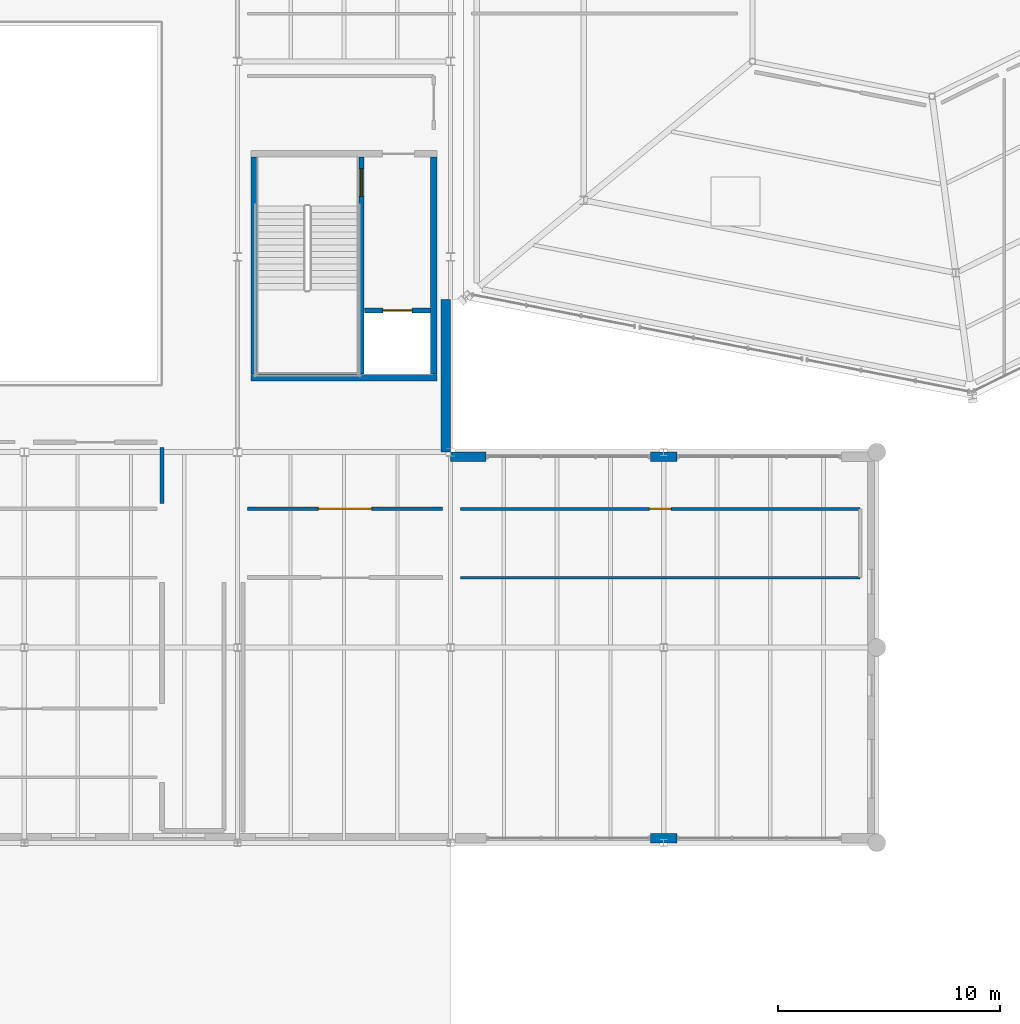
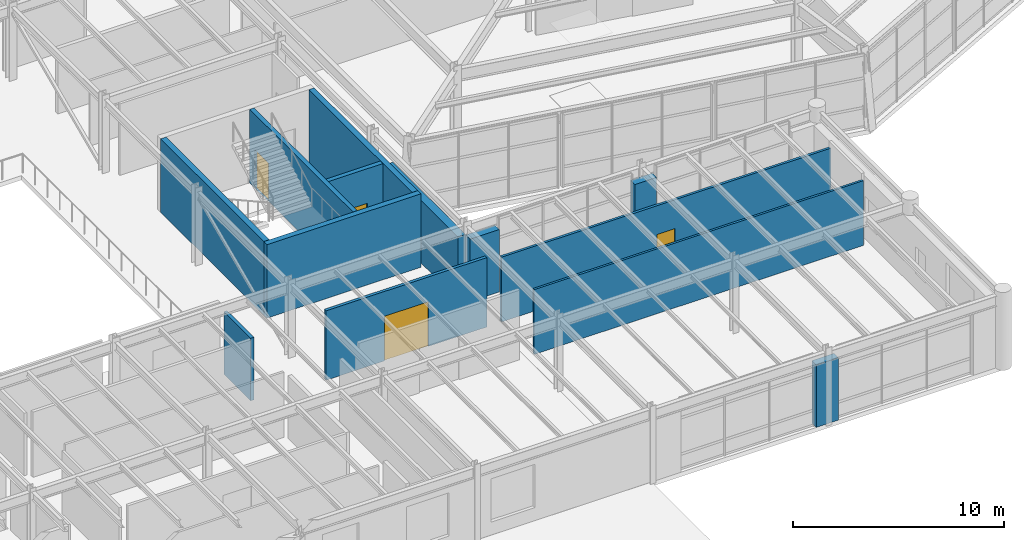
# One storey, part 71 of 88: 13 walls, 4 doors, 4 openings.
"""IFC4 building model written with IfcOpenShell, lengths in metres."""

from ifc_helpers import new_model, si_unit, direction, frame, frame_2d, origin, place, context, subcontext, project, spatial, rectangle, extrude, material, layer, layer_set, type_object, element, fill, save


model = new_model("IFC4")

# Units and contexts
model_context = context("Model", 3, precision=1e-05, world=origin(), true_north=direction((0.0, 1.0)))
body_context = subcontext(model_context, "Body", "Model", "MODEL_VIEW")
ifc_project = project(units=[si_unit("LENGTHUNIT", "METRE"), si_unit("AREAUNIT", "SQUARE_METRE"), si_unit("VOLUMEUNIT", "CUBIC_METRE"), si_unit("PLANEANGLEUNIT", "RADIAN"), si_unit("MASSUNIT", "GRAM", prefix="KILO")], contexts=[model_context])

# Site, building, storey
site_placement = place(None, origin())
site = spatial("IfcSite", under=ifc_project, at=site_placement, CompositionType="ELEMENT")
building_placement = place(site_placement, origin())
building = spatial("IfcBuilding", under=site, at=building_placement, Name="Sarnbrook Museum", CompositionType="ELEMENT")
storey_placement = place(building_placement, frame((0.0, 0.0, 10.10009765625)))
storey = spatial("IfcBuildingStorey", under=building, at=storey_placement, Name="L02", CompositionType="ELEMENT", Elevation=10.10009765625)

# Walls
ifc_material_1 = material(Name="Concrete N50 (AS 3600, f'c = 50 MPa)", Category="concrete")
ifc_layer_1 = layer(ifc_material_1, 0.300048828125)
ifc_layer_set_1 = layer_set([ifc_layer_1], Name="Concrete N50 (AS 3600, f'c = 50 MPa)")
wall_type_1 = type_object("IfcWallType", Name="CoreWall_CWRC", PredefinedType="SHEAR", material=ifc_layer_set_1)
wall_1_placement = place(storey_placement, frame((110.199951171875, 60.14990234375, 0.0), z_axis=(0.0, 0.0, 1.0), x_axis=(1.0, 0.0, 0.0)))
element("IfcWall", 1, at=wall_1_placement, inside=storey, type_object=wall_type_1, Name="Core C1 Shear Wall S L02", PredefinedType="SHEAR", context=body_context, shape_type="SweptSolid", body=[
    extrude(rectangle(XDim=8.400146484375, YDim=0.300048828125, at=frame_2d((4.2001953125, 0.0))), origin(), (0.0, 0.0, 1.0), 4.244873046875),
])
for number, where, z_axis, x_axis, name in (
    (2, (118.449951171875, 60.31005859375, 0.0), (0.0, 0.0, 1.0), (0.0, 1.0, 0.0), "Core C1 Shear Wall E L02"),
    (3, (110.35009765625, 70.090087890625, 0.0), (0.0, 0.0, 1.0), (0.0, -1.0, 0.0), "Core C1 Shear Wall W L02"),
):
    element("IfcWall", number, at=place(storey_placement, frame(where, z_axis=z_axis, x_axis=x_axis)), inside=storey, type_object=wall_type_1, Name=name, PredefinedType="SHEAR", context=body_context, shape_type="SweptSolid", body=[
        extrude(rectangle(XDim=9.780029296875, YDim=0.300048828125, at=frame_2d((4.89013671875, 0.0))), origin(), (0.0, 0.0, 1.0), 4.244873046875),
    ])
ifc_material_2 = material(Name="Fire-Rated Acoustic Gypsum Plasterboard")
ifc_layer_2 = layer(ifc_material_2, 0.1201171875)
ifc_layer_set_2 = layer_set([ifc_layer_2], Name="Fire-Rated Acoustic Gypsum Plasterboard")
wall_type_2 = type_object("IfcWallType", Name="PartWall_P120", PredefinedType="PARTITIONING", material=ifc_layer_set_2)
wall_2_placement = place(storey_placement, frame((119.64990234375, 51.14990234375, 0.0), z_axis=(0.0, 0.0, 1.0), x_axis=(1.0, 0.0, 0.0)))
element("IfcWall", 4, at=wall_2_placement, inside=storey, type_object=wall_type_2, Name="Interior Partition Wall L02-0531", PredefinedType="PARTITIONING", context=body_context, shape_type="SweptSolid", body=[
    extrude(rectangle(XDim=17.989990234375, YDim=0.1201171875, at=frame_2d((8.9951171875, 0.0))), origin(), (0.0, 0.0, 1.0), 3.742919921875),
])

# Wall, opening, door
ifc_layer_3 = layer(ifc_material_2, 0.135009765625)
ifc_layer_set_3 = layer_set([ifc_layer_3], Name="Fire-Rated Acoustic Gypsum Plasterboard")
wall_type_3 = type_object("IfcWallType", Name="PartWall_P135", PredefinedType="PARTITIONING", material=ifc_layer_set_3)
wall_3_placement = place(storey_placement, frame((137.639892578125, 54.25, 0.0), z_axis=(0.0, 0.0, 1.0), x_axis=(-1.0, 0.0, 0.0)))
wall_3 = element("IfcWall", 5, at=wall_3_placement, inside=storey, type_object=wall_type_3, Name="Interior Partition Wall L02-0530", PredefinedType="PARTITIONING", context=body_context, shape_type="SweptSolid", body=[
    extrude(rectangle(XDim=17.989990234375, YDim=0.135009765625, at=frame_2d((8.9951171875, 0.0))), origin(), (0.0, 0.0, 1.0), 3.742919921875),
])
opening_1_placement = place(wall_3_placement, frame((8.5048828125, 0.0, 0.0)))
opening_1 = element("IfcOpeningElement", 6, at=opening_1_placement, cuts=wall_3, Name="Opening D-L02-155", PredefinedType="OPENING", context=body_context, shape_type="SweptSolid", body=[
    extrude(rectangle(XDim=0.97998046875, YDim=2.080078125, at=frame_2d((0.489990234375, 1.0400390625))), frame((0.0, 0.07763671875, 0.0), z_axis=(0.0, -1.0, 0.0), x_axis=(1.0, 0.0, 0.0)), (0.0, 0.0, 1.0), 0.155029296875),
])
ifc_material_3 = material(Name="Tasmanian Oak Acoustic Timber", Category="wood")
door_type_1 = type_object("IfcDoorType", Name="IntDoor_DT03", OperationType="NOTDEFINED", PredefinedType="DOOR", material=ifc_material_3)
door_1_placement = place(opening_1_placement, frame((0.97998046875, 0.0, 0.0), z_axis=(0.0, 0.0, 1.0), x_axis=(-1.0, 0.0, 0.0)))
door_1 = element("IfcDoor", 7, at=door_1_placement, inside=storey, type_object=door_type_1, Name="Curatorial Research Suite L02-17 Door D-L02-155", OperationType="SINGLE_SWING_RIGHT", OverallHeight=2.080078125, OverallWidth=0.97998046875, PredefinedType="DOOR", context=body_context, shape_type="SweptSolid", body=[
    extrude(rectangle(XDim=0.97998046875, YDim=2.080078125, at=frame_2d((0.489990234375, 1.0400390625))), frame((0.0, 0.02490234375, 0.0), z_axis=(0.0, -1.0, 0.0), x_axis=(1.0, 0.0, 0.0)), (0.0, 0.0, 1.0), 0.050048828125),
])
fill(opening_1, door_1)

ifc_layer_4 = layer(ifc_material_2, 0.1650390625)
ifc_layer_set_4 = layer_set([ifc_layer_4], Name="Fire-Rated Acoustic Gypsum Plasterboard")
wall_type_4 = type_object("IfcWallType", Name="PartWall_P165", PredefinedType="PARTITIONING", material=ifc_layer_set_4)
wall_4_placement = place(storey_placement, frame((118.840087890625, 54.25, 0.0), z_axis=(0.0, 0.0, 1.0), x_axis=(-1.0, 0.0, 0.0)))
wall_4 = element("IfcWall", 8, at=wall_4_placement, inside=storey, type_object=wall_type_4, Name="Interior Partition Wall L02-0521", PredefinedType="PARTITIONING", context=body_context, shape_type="SweptSolid", body=[
    extrude(rectangle(XDim=8.7900390625, YDim=0.1650390625, at=frame_2d((4.39501953125, 0.0))), origin(), (0.0, 0.0, 1.0), 4.012939453125),
])
opening_2_placement = place(wall_4_placement, frame((3.195068359375, 0.0, 0.0)))
opening_2 = element("IfcOpeningElement", 9, at=opening_2_placement, cuts=wall_4, Name="Opening D-L02-152", PredefinedType="OPENING", context=body_context, shape_type="SweptSolid", body=[
    extrude(rectangle(XDim=2.39990234375, YDim=2.580078125, at=frame_2d((1.199951171875, 1.2900390625))), frame((0.0, 0.092529296875, 0.0), z_axis=(0.0, -1.0, 0.0), x_axis=(1.0, 0.0, 0.0)), (0.0, 0.0, 1.0), 0.18505859375),
])
door_type_2 = type_object("IfcDoorType", Name="IntDoor_DT38", OperationType="NOTDEFINED", PredefinedType="DOOR", material=ifc_material_3)
door_2_placement = place(opening_2_placement, frame((2.39990234375, 0.0, 0.0), z_axis=(0.0, 0.0, 1.0), x_axis=(-1.0, 0.0, 0.0)))
door_2 = element("IfcDoor", 10, at=door_2_placement, inside=storey, type_object=door_type_2, Name="Cantilevered Stone Sculpture Gallery L02-13 Door D-L02-152", OperationType="DOUBLE_DOOR_SINGLE_SWING", OverallHeight=2.580078125, OverallWidth=2.39990234375, PredefinedType="DOOR", context=body_context, shape_type="SweptSolid", body=[
    extrude(rectangle(XDim=2.39990234375, YDim=2.580078125, at=frame_2d((1.199951171875, 1.2900390625))), frame((0.0, 0.02490234375, 0.0), z_axis=(0.0, -1.0, 0.0), x_axis=(1.0, 0.0, 0.0)), (0.0, 0.0, 1.0), 0.050048828125),
])
fill(opening_2, door_2)

# Wall
ifc_layer_5 = layer(ifc_material_2, 0.179931640625)
ifc_layer_set_5 = layer_set([ifc_layer_5], Name="Fire-Rated Acoustic Gypsum Plasterboard")
wall_type_5 = type_object("IfcWallType", Name="PartWall_P180", PredefinedType="PARTITIONING", material=ifc_layer_set_5)
wall_5_placement = place(storey_placement, frame((106.199951171875, 57.02001953125, 0.0), z_axis=(0.0, 0.0, 1.0), x_axis=(0.0, -1.0, 0.0)))
element("IfcWall", 11, at=wall_5_placement, inside=storey, type_object=wall_type_5, Name="Interior Partition Wall L02-0513", PredefinedType="PARTITIONING", context=body_context, shape_type="SweptSolid", body=[
    extrude(rectangle(XDim=2.5400390625, YDim=0.179931640625, at=frame_2d((1.27001953125, 0.0))), origin(), (0.0, 0.0, 1.0), 3.61279296875),
])

# Wall, opening, door
ifc_material_4 = material(Name="Concrete N40 (AS 3600, f'c = 40 MPa)", Category="concrete")
ifc_layer_6 = layer(ifc_material_4, 0.239990234375)
ifc_layer_set_6 = layer_set([ifc_layer_6], Name="Concrete N40 (AS 3600, f'c = 40 MPa)")
wall_type_6 = type_object("IfcWallType", Name="ShaftWall_SWRC", PredefinedType="SOLIDWALL", material=ifc_layer_set_6)
wall_6_placement = place(storey_placement, frame((115.18994140625, 60.31005859375, 0.0), z_axis=(0.0, 0.0, 1.0), x_axis=(0.0, 1.0, 0.0)))
wall_6 = element("IfcWall", 12, at=wall_6_placement, inside=storey, type_object=wall_type_6, Name="Stairwell ST1 Fire Shaft Wall L02", PredefinedType="SOLIDWALL", context=body_context, shape_type="SweptSolid", body=[
    extrude(rectangle(XDim=9.780029296875, YDim=0.239990234375, at=frame_2d((4.89013671875, 0.0))), origin(), (0.0, 0.0, 1.0), 4.244873046875),
])
opening_3_placement = place(wall_6_placement, frame((8.014892578125, 0.0, 0.0)))
opening_3 = element("IfcOpeningElement", 13, at=opening_3_placement, cuts=wall_6, Name="Opening D-ST-ST1-L02", PredefinedType="OPENING", context=body_context, shape_type="SweptSolid", body=[
    extrude(rectangle(XDim=1.25, YDim=2.199951171875, at=frame_2d((0.625, 1.10009765625))), frame((0.0, 0.1298828125, 0.0), z_axis=(0.0, -1.0, 0.0), x_axis=(1.0, 0.0, 0.0)), (0.0, 0.0, 1.0), 0.260009765625),
])
door_type_3 = type_object("IfcDoorType", Name="FireDoor_FD120", OperationType="NOTDEFINED", PredefinedType="DOOR", material=ifc_material_3)
door_3_placement = place(opening_3_placement, origin())
door_3 = element("IfcDoor", 14, at=door_3_placement, inside=storey, type_object=door_type_3, Name="Exit Stair ST1 Fire Door L02", OperationType="SINGLE_SWING_LEFT", OverallHeight=2.199951171875, OverallWidth=1.25, PredefinedType="DOOR", context=body_context, shape_type="SweptSolid", body=[
    extrude(rectangle(XDim=1.25, YDim=2.199951171875, at=frame_2d((0.625, 1.10009765625))), frame((0.0, 0.02490234375, 0.0), z_axis=(0.0, -1.0, 0.0), x_axis=(1.0, 0.0, 0.0)), (0.0, 0.0, 1.0), 0.050048828125),
])
fill(opening_3, door_3)

wall_7_placement = place(storey_placement, frame((115.320068359375, 63.179931640625, 0.0), z_axis=(0.0, 0.0, 1.0), x_axis=(1.0, 0.0, 0.0)))
wall_7 = element("IfcWall", 15, at=wall_7_placement, inside=storey, type_object=wall_type_6, Name="Lift EL1 Shaft Front Wall L02", PredefinedType="SOLIDWALL", context=body_context, shape_type="SweptSolid", body=[
    extrude(rectangle(XDim=2.969970703125, YDim=0.239990234375, at=frame_2d((1.48486328125, 0.0))), origin(), (0.0, 0.0, 1.0), 4.244873046875),
])
opening_4_placement = place(wall_7_placement, frame((0.8349609375, 0.0, 0.0)))
opening_4 = element("IfcOpeningElement", 16, at=opening_4_placement, cuts=wall_7, Name="Opening LD-EL1-L02", PredefinedType="OPENING", context=body_context, shape_type="SweptSolid", body=[
    extrude(rectangle(XDim=1.300048828125, YDim=2.25, at=frame_2d((0.64990234375, 1.125))), frame((0.0, 0.1298828125, 0.0), z_axis=(0.0, -1.0, 0.0), x_axis=(1.0, 0.0, 0.0)), (0.0, 0.0, 1.0), 0.260009765625),
])
ifc_material_5 = material(Name="Brushed Stainless Steel Grade 316", Category="steel")
door_type_4 = type_object("IfcDoorType", Name="LiftDoor_FF130", OperationType="DOUBLE_DOOR_SLIDING", PredefinedType="DOOR", material=ifc_material_5)
door_4_placement = place(opening_4_placement, origin())
door_4 = element("IfcDoor", 17, at=door_4_placement, inside=storey, type_object=door_type_4, Name="Lift Landing Sliding Door LD-EL1-L02", OperationType="DOUBLE_DOOR_SLIDING", OverallHeight=2.25, OverallWidth=1.300048828125, PredefinedType="DOOR", context=body_context, shape_type="SweptSolid", body=[
    extrude(rectangle(XDim=1.300048828125, YDim=2.25, at=frame_2d((0.64990234375, 1.125))), frame((0.0, 0.02490234375, 0.0), z_axis=(0.0, -1.0, 0.0), x_axis=(1.0, 0.0, 0.0)), (0.0, 0.0, 1.0), 0.050048828125),
])
fill(opening_4, door_4)

# Walls
ifc_material_6 = material(Name="Barrabool Sandstone Ashlar Cladding", Category="masonry")
ifc_layer_7 = layer(ifc_material_6, 0.419921875)
ifc_layer_set_7 = layer_set([ifc_layer_7], Name="Barrabool Sandstone Ashlar Cladding")
wall_type_7 = type_object("IfcWallType", Name="Wall_SandstoneExt420", PredefinedType="SOLIDWALL", material=ifc_layer_set_7)
wall_8_placement = place(storey_placement, frame((118.989990234375, 56.800048828125, 0.0), z_axis=(0.0, 0.0, 1.0), x_axis=(0.0, 1.0, 0.0)))
element("IfcWall", 18, at=wall_8_placement, inside=storey, type_object=wall_type_7, Name="Classical Sandstone Facade Wall L02-01", PredefinedType="SOLIDWALL", context=body_context, shape_type="SweptSolid", body=[
    extrude(rectangle(XDim=6.887939453125, YDim=0.419921875, at=frame_2d((3.44384765625, 0.0))), origin(), (0.0, 0.0, 1.0), 3.6279296875),
])
for number, where, z_axis, x_axis, name in (
    (19, (128.199951171875, 39.409912109375, 0.0), (0.0, 0.0, 1.0), (1.0, 0.0, 0.0), "Classical Sandstone Facade Pier L02-16.2"),
    (20, (129.39990234375, 56.590087890625, 0.0), (0.0, 0.0, 1.0), (-1.0, 0.0, 0.0), "Classical Sandstone Facade Pier L02-18.2"),
):
    element("IfcWall", number, at=place(storey_placement, frame(where, z_axis=z_axis, x_axis=x_axis)), inside=storey, type_object=wall_type_7, Name=name, PredefinedType="SOLIDWALL", context=body_context, shape_type="SweptSolid", body=[
        extrude(rectangle(XDim=1.199951171875, YDim=0.419921875, at=frame_2d((0.60009765625, 0.0))), origin(), (0.0, 0.0, 1.0), 3.60791015625),
    ])
wall_9_placement = place(storey_placement, frame((120.800048828125, 56.590087890625, 0.0), z_axis=(0.0, 0.0, 1.0), x_axis=(-1.0, 0.0, 0.0)))
element("IfcWall", 21, at=wall_9_placement, inside=storey, type_object=wall_type_7, Name="Classical Sandstone Facade Pier L02-18.3", PredefinedType="SOLIDWALL", context=body_context, shape_type="SweptSolid", body=[
    extrude(rectangle(XDim=1.60009765625, YDim=0.419921875, at=frame_2d((0.800048828125, 0.0))), origin(), (0.0, 0.0, 1.0), 3.60791015625),
])

save(model, "model.ifc")
